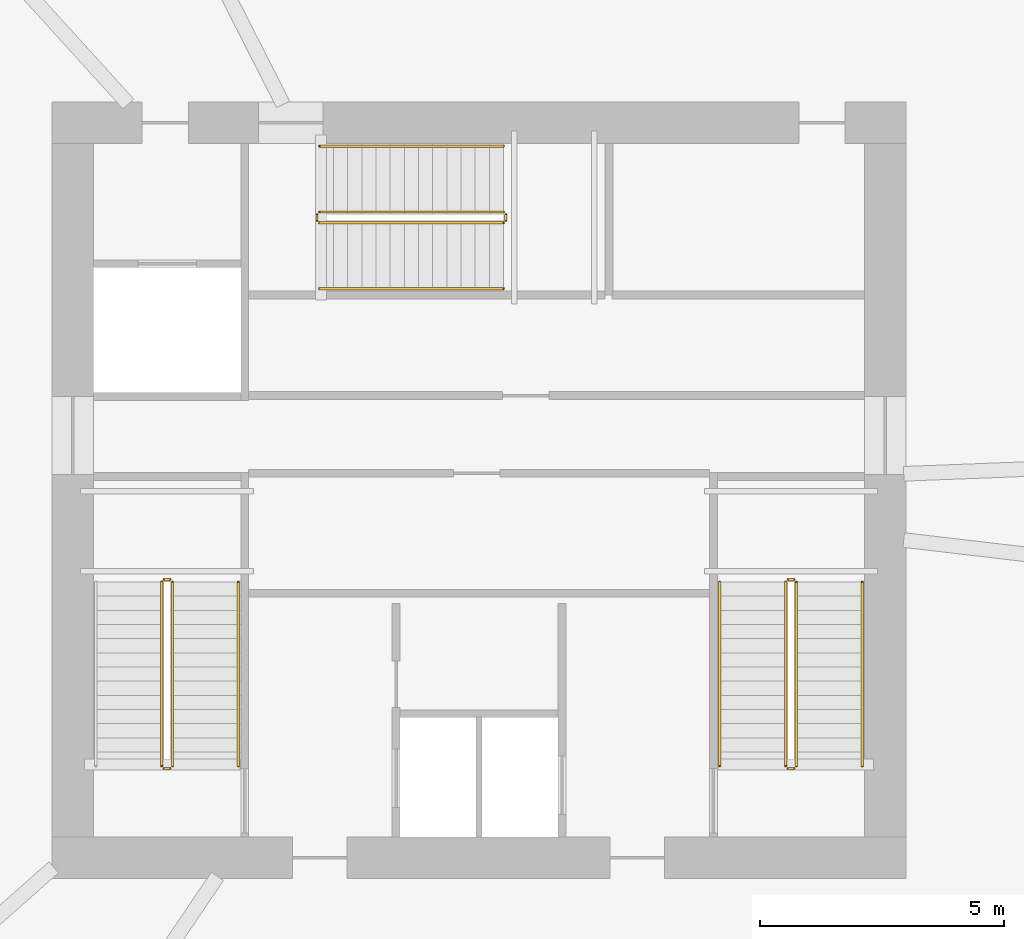
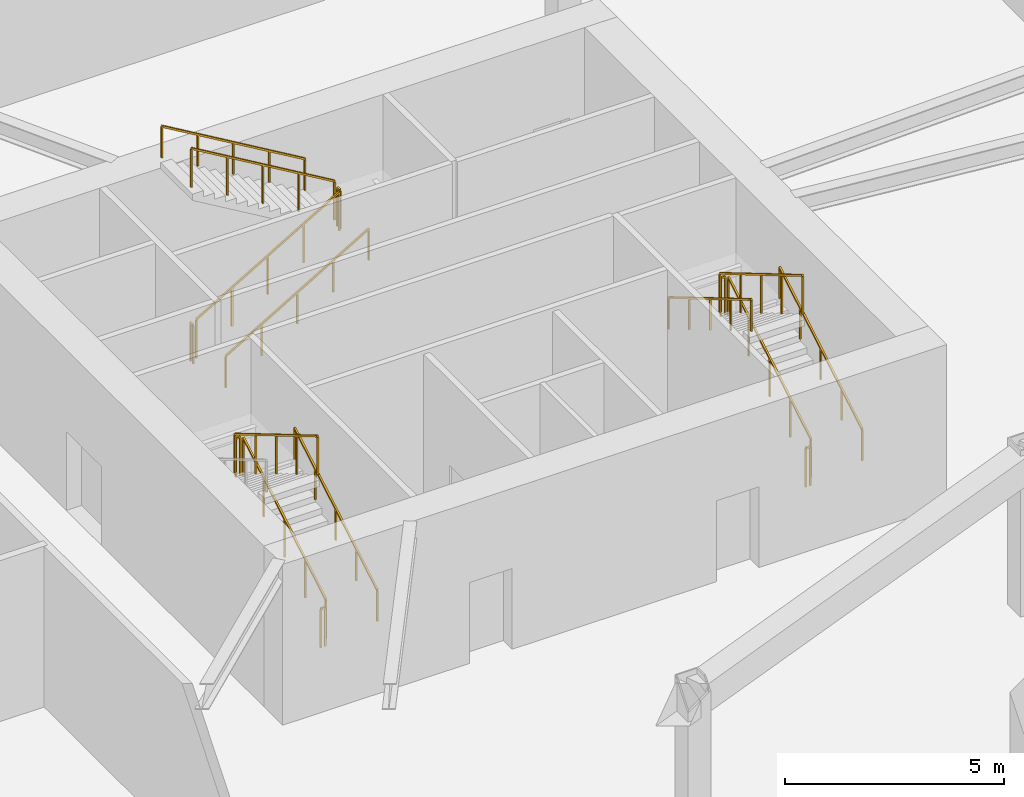
# One storey, part 8 of 9: 17 railings.
"""IFC4 building model written with IfcOpenShell, lengths in metres."""

from ifc_helpers import new_model, si_unit, direction, frame, origin, origin_2d, place, context, subcontext, project, spatial, rectangle, extrude, material, type_object, element, save


model = new_model("IFC4")

# Units and contexts
model_context = context("Model", 3, precision=1e-05, world=origin(), true_north=direction((0.0, 1.0)))
body_context = subcontext(model_context, "Body", "Model", "MODEL_VIEW")
ifc_project = project(units=[si_unit("LENGTHUNIT", "METRE"), si_unit("AREAUNIT", "SQUARE_METRE"), si_unit("VOLUMEUNIT", "CUBIC_METRE"), si_unit("PLANEANGLEUNIT", "RADIAN"), si_unit("MASSUNIT", "GRAM", prefix="KILO")], contexts=[model_context])

# Site, building, storey
site_placement = place(None, origin())
site = spatial("IfcSite", under=ifc_project, at=site_placement, CompositionType="ELEMENT")
building_placement = place(site_placement, origin())
building = spatial("IfcBuilding", under=site, at=building_placement, Name="Olszyna Solenne Hotel", CompositionType="ELEMENT")
storey_placement = place(building_placement, frame((0.0, 0.0, -4.800048828125)))
storey = spatial("IfcBuildingStorey", under=building, at=storey_placement, Name="B01", CompositionType="ELEMENT", Elevation=-4.800048828125)

# Railings
ifc_material_1 = material(Name="Anodised bronze aluminium", Category="aluminium")
railing_type_1 = type_object("IfcRailingType", Name="GR-110", PredefinedType="BALUSTRADE", material=ifc_material_1)
railing_1_placement = place(storey_placement, frame((31.719970703125, 20.949951171875, 0.17138671875)))
element("IfcRailing", 1, at=railing_1_placement, inside=storey, type_object=railing_type_1, Name="B01 ST1 stair guard 1", PredefinedType="BALUSTRADE", context=body_context, shape_type="SweptSolid", body=[
    extrude(rectangle(XDim=0.048095703125, YDim=0.048095703125, at=origin_2d()), frame((0.0, 0.0, 1.076171875), z_axis=(0.0, 0.860824410104, 0.508902087802), x_axis=(-1.0, 0.0, 0.0)), (0.0, 0.0, 1.0), 4.379638671875),
    extrude(rectangle(XDim=0.0419921875, YDim=0.0419921875, at=origin_2d()), origin(), (0.0, 0.0, 1.0), 1.052001953125),
    extrude(rectangle(XDim=0.0419921875, YDim=0.0419921875, at=origin_2d()), frame((0.0, 0.9423828125, 0.55712890625)), (0.0, 0.0, 1.0), 1.052001953125),
    extrude(rectangle(XDim=0.0419921875, YDim=0.0419921875, at=origin_2d()), frame((0.0, 1.885009765625, 1.1142578125)), (0.0, 0.0, 1.0), 1.052001953125),
    extrude(rectangle(XDim=0.0419921875, YDim=0.0419921875, at=origin_2d()), frame((0.0, 2.82763671875, 1.671630859375)), (0.0, 0.0, 1.0), 1.052001953125),
    extrude(rectangle(XDim=0.0419921875, YDim=0.0419921875, at=origin_2d()), frame((0.0, 3.77001953125, 2.228759765625)), (0.0, 0.0, 1.0), 1.052001953125),
])
railing_2_placement = place(storey_placement, frame((31.669921875, 24.77001953125, 2.400146484375)))
element("IfcRailing", 2, at=railing_2_placement, inside=storey, type_object=railing_type_1, Name="B01 ST1 stair guard 2", PredefinedType="BALUSTRADE", context=body_context, shape_type="SweptSolid", body=[
    extrude(rectangle(XDim=0.048095703125, YDim=0.048095703125, at=origin_2d()), frame((0.0, 0.0, 1.076171875), z_axis=(-1.0, 0.0, 0.0), x_axis=(0.0, -1.0, 0.0)), (0.0, 0.0, 1.0), 0.119873046875),
    extrude(rectangle(XDim=0.0419921875, YDim=0.0419921875, at=origin_2d()), origin(), (0.0, 0.0, 1.0), 1.052001953125),
    extrude(rectangle(XDim=0.0419921875, YDim=0.0419921875, at=origin_2d()), frame((-0.119873046875, 0.0, 0.0)), (0.0, 0.0, 1.0), 1.052001953125),
])
railing_3_placement = place(storey_placement, frame((31.5, 24.719970703125, 2.571533203125)))
element("IfcRailing", 3, at=railing_3_placement, inside=storey, type_object=railing_type_1, Name="B01 ST1 stair guard 3", PredefinedType="BALUSTRADE", context=body_context, shape_type="SweptSolid", body=[
    extrude(rectangle(XDim=0.048095703125, YDim=0.048095703125, at=origin_2d()), frame((0.0, 0.0, 1.076171875), z_axis=(0.0, -0.860848830602, 0.508860777473), x_axis=(1.0, 0.0, 0.0)), (0.0, 0.0, 1.0), 4.37939453125),
    extrude(rectangle(XDim=0.0419921875, YDim=0.0419921875, at=origin_2d()), origin(), (0.0, 0.0, 1.0), 1.052001953125),
    extrude(rectangle(XDim=0.0419921875, YDim=0.0419921875, at=origin_2d()), frame((0.0, -0.9423828125, 0.55712890625)), (0.0, 0.0, 1.0), 1.052001953125),
    extrude(rectangle(XDim=0.0419921875, YDim=0.0419921875, at=origin_2d()), frame((0.0, -1.885009765625, 1.1142578125)), (0.0, 0.0, 1.0), 1.052001953125),
    extrude(rectangle(XDim=0.0419921875, YDim=0.0419921875, at=origin_2d()), frame((0.0, -2.82763671875, 1.67138671875)), (0.0, 0.0, 1.0), 1.052001953125),
    extrude(rectangle(XDim=0.0419921875, YDim=0.0419921875, at=origin_2d()), frame((0.0, -3.77001953125, 2.228515625)), (0.0, 0.0, 1.0), 1.052001953125),
])
railing_4_placement = place(storey_placement, frame((31.669921875, 20.89990234375, 0.0)))
element("IfcRailing", 4, at=railing_4_placement, inside=storey, type_object=railing_type_1, Name="B01 ST1 stair guard 4", PredefinedType="BALUSTRADE", context=body_context, shape_type="SweptSolid", body=[
    extrude(rectangle(XDim=0.048095703125, YDim=0.048095703125, at=origin_2d()), frame((0.0, 0.0, 1.076171875), z_axis=(-1.0, 0.0, 0.0), x_axis=(0.0, -1.0, 0.0)), (0.0, 0.0, 1.0), 0.119873046875),
    extrude(rectangle(XDim=0.0419921875, YDim=0.0419921875, at=origin_2d()), origin(), (0.0, 0.0, 1.0), 1.052001953125),
    extrude(rectangle(XDim=0.0419921875, YDim=0.0419921875, at=origin_2d()), frame((-0.119873046875, 0.0, 0.0)), (0.0, 0.0, 1.0), 1.052001953125),
])
railing_5_placement = place(storey_placement, frame((44.5, 20.949951171875, 0.17138671875)))
element("IfcRailing", 5, at=railing_5_placement, inside=storey, type_object=railing_type_1, Name="B01 ST2 stair guard 1", PredefinedType="BALUSTRADE", context=body_context, shape_type="SweptSolid", body=[
    extrude(rectangle(XDim=0.048095703125, YDim=0.048095703125, at=origin_2d()), frame((0.0, 0.0, 1.076171875), z_axis=(0.0, 0.860824410104, 0.508902087802), x_axis=(-1.0, 0.0, 0.0)), (0.0, 0.0, 1.0), 4.379638671875),
    extrude(rectangle(XDim=0.0419921875, YDim=0.0419921875, at=origin_2d()), origin(), (0.0, 0.0, 1.0), 1.052001953125),
    extrude(rectangle(XDim=0.0419921875, YDim=0.0419921875, at=origin_2d()), frame((0.0, 0.9423828125, 0.55712890625)), (0.0, 0.0, 1.0), 1.052001953125),
    extrude(rectangle(XDim=0.0419921875, YDim=0.0419921875, at=origin_2d()), frame((0.0, 1.885009765625, 1.1142578125)), (0.0, 0.0, 1.0), 1.052001953125),
    extrude(rectangle(XDim=0.0419921875, YDim=0.0419921875, at=origin_2d()), frame((0.0, 2.82763671875, 1.671630859375)), (0.0, 0.0, 1.0), 1.052001953125),
    extrude(rectangle(XDim=0.0419921875, YDim=0.0419921875, at=origin_2d()), frame((0.0, 3.77001953125, 2.228759765625)), (0.0, 0.0, 1.0), 1.052001953125),
])
railing_6_placement = place(storey_placement, frame((44.449951171875, 24.77001953125, 2.400146484375)))
element("IfcRailing", 6, at=railing_6_placement, inside=storey, type_object=railing_type_1, Name="B01 ST2 stair guard 2", PredefinedType="BALUSTRADE", context=body_context, shape_type="SweptSolid", body=[
    extrude(rectangle(XDim=0.048095703125, YDim=0.048095703125, at=origin_2d()), frame((0.0, 0.0, 1.076171875), z_axis=(-1.0, 0.0, 0.0), x_axis=(0.0, -1.0, 0.0)), (0.0, 0.0, 1.0), 0.119873046875),
    extrude(rectangle(XDim=0.0419921875, YDim=0.0419921875, at=origin_2d()), origin(), (0.0, 0.0, 1.0), 1.052001953125),
    extrude(rectangle(XDim=0.0419921875, YDim=0.0419921875, at=origin_2d()), frame((-0.119873046875, 0.0, 0.0)), (0.0, 0.0, 1.0), 1.052001953125),
])
railing_7_placement = place(storey_placement, frame((44.280029296875, 24.719970703125, 2.571533203125)))
element("IfcRailing", 7, at=railing_7_placement, inside=storey, type_object=railing_type_1, Name="B01 ST2 stair guard 3", PredefinedType="BALUSTRADE", context=body_context, shape_type="SweptSolid", body=[
    extrude(rectangle(XDim=0.048095703125, YDim=0.048095703125, at=origin_2d()), frame((0.0, 0.0, 1.076171875), z_axis=(0.0, -0.860848830602, 0.508860777473), x_axis=(1.0, 0.0, 0.0)), (0.0, 0.0, 1.0), 4.37939453125),
    extrude(rectangle(XDim=0.0419921875, YDim=0.0419921875, at=origin_2d()), origin(), (0.0, 0.0, 1.0), 1.052001953125),
    extrude(rectangle(XDim=0.0419921875, YDim=0.0419921875, at=origin_2d()), frame((0.0, -0.9423828125, 0.55712890625)), (0.0, 0.0, 1.0), 1.052001953125),
    extrude(rectangle(XDim=0.0419921875, YDim=0.0419921875, at=origin_2d()), frame((0.0, -1.885009765625, 1.1142578125)), (0.0, 0.0, 1.0), 1.052001953125),
    extrude(rectangle(XDim=0.0419921875, YDim=0.0419921875, at=origin_2d()), frame((0.0, -2.82763671875, 1.67138671875)), (0.0, 0.0, 1.0), 1.052001953125),
    extrude(rectangle(XDim=0.0419921875, YDim=0.0419921875, at=origin_2d()), frame((0.0, -3.77001953125, 2.228515625)), (0.0, 0.0, 1.0), 1.052001953125),
])
railing_8_placement = place(storey_placement, frame((44.449951171875, 20.89990234375, 0.0)))
element("IfcRailing", 8, at=railing_8_placement, inside=storey, type_object=railing_type_1, Name="B01 ST2 stair guard 4", PredefinedType="BALUSTRADE", context=body_context, shape_type="SweptSolid", body=[
    extrude(rectangle(XDim=0.048095703125, YDim=0.048095703125, at=origin_2d()), frame((0.0, 0.0, 1.076171875), z_axis=(-1.0, 0.0, 0.0), x_axis=(0.0, -1.0, 0.0)), (0.0, 0.0, 1.0), 0.119873046875),
    extrude(rectangle(XDim=0.0419921875, YDim=0.0419921875, at=origin_2d()), origin(), (0.0, 0.0, 1.0), 1.052001953125),
    extrude(rectangle(XDim=0.0419921875, YDim=0.0419921875, at=origin_2d()), frame((-0.119873046875, 0.0, 0.0)), (0.0, 0.0, 1.0), 1.052001953125),
])
railing_9_placement = place(storey_placement, frame((34.72998046875, 32.080078125, 0.17138671875)))
element("IfcRailing", 9, at=railing_9_placement, inside=storey, type_object=railing_type_1, Name="B01 ST3 stair guard 1", PredefinedType="BALUSTRADE", context=body_context, shape_type="SweptSolid", body=[
    extrude(rectangle(XDim=0.048095703125, YDim=0.048095703125, at=origin_2d()), frame((0.0, 0.0, 1.076171875), z_axis=(0.860824410104, 0.0, 0.508902087802), x_axis=(0.0, 1.0, 0.0)), (0.0, 0.0, 1.0), 4.379638671875),
    extrude(rectangle(XDim=0.0419921875, YDim=0.0419921875, at=origin_2d()), origin(), (0.0, 0.0, 1.0), 1.052001953125),
    extrude(rectangle(XDim=0.0419921875, YDim=0.0419921875, at=origin_2d()), frame((0.9423828125, 0.0, 0.55712890625)), (0.0, 0.0, 1.0), 1.052001953125),
    extrude(rectangle(XDim=0.0419921875, YDim=0.0419921875, at=origin_2d()), frame((1.885009765625, 0.0, 1.1142578125)), (0.0, 0.0, 1.0), 1.052001953125),
    extrude(rectangle(XDim=0.0419921875, YDim=0.0419921875, at=origin_2d()), frame((2.82763671875, 0.0, 1.671630859375)), (0.0, 0.0, 1.0), 1.052001953125),
    extrude(rectangle(XDim=0.0419921875, YDim=0.0419921875, at=origin_2d()), frame((3.77001953125, 0.0, 2.228759765625)), (0.0, 0.0, 1.0), 1.052001953125),
])
railing_10_placement = place(storey_placement, frame((38.550048828125, 32.1298828125, 2.400146484375)))
element("IfcRailing", 10, at=railing_10_placement, inside=storey, type_object=railing_type_1, Name="B01 ST3 stair guard 2", PredefinedType="BALUSTRADE", context=body_context, shape_type="SweptSolid", body=[
    extrude(rectangle(XDim=0.048095703125, YDim=0.048095703125, at=origin_2d()), frame((0.0, 0.0, 1.076171875), z_axis=(0.0, 1.0, 0.0), x_axis=(-1.0, 0.0, 0.0)), (0.0, 0.0, 1.0), 0.1201171875),
    extrude(rectangle(XDim=0.0419921875, YDim=0.0419921875, at=origin_2d()), origin(), (0.0, 0.0, 1.0), 1.052001953125),
    extrude(rectangle(XDim=0.0419921875, YDim=0.0419921875, at=origin_2d()), frame((0.0, 0.1201171875, 0.0)), (0.0, 0.0, 1.0), 1.052001953125),
])
railing_11_placement = place(storey_placement, frame((38.5, 32.300048828125, 2.571533203125)))
element("IfcRailing", 11, at=railing_11_placement, inside=storey, type_object=railing_type_1, Name="B01 ST3 stair guard 3", PredefinedType="BALUSTRADE", context=body_context, shape_type="SweptSolid", body=[
    extrude(rectangle(XDim=0.048095703125, YDim=0.048095703125, at=origin_2d()), frame((0.0, 0.0, 1.076171875), z_axis=(-0.860848830602, 0.0, 0.508860777473), x_axis=(0.0, -1.0, 0.0)), (0.0, 0.0, 1.0), 4.37939453125),
    extrude(rectangle(XDim=0.0419921875, YDim=0.0419921875, at=origin_2d()), origin(), (0.0, 0.0, 1.0), 1.052001953125),
    extrude(rectangle(XDim=0.0419921875, YDim=0.0419921875, at=origin_2d()), frame((-0.9423828125, 0.0, 0.55712890625)), (0.0, 0.0, 1.0), 1.052001953125),
    extrude(rectangle(XDim=0.0419921875, YDim=0.0419921875, at=origin_2d()), frame((-1.885009765625, 0.0, 1.1142578125)), (0.0, 0.0, 1.0), 1.052001953125),
    extrude(rectangle(XDim=0.0419921875, YDim=0.0419921875, at=origin_2d()), frame((-2.82763671875, 0.0, 1.67138671875)), (0.0, 0.0, 1.0), 1.052001953125),
    extrude(rectangle(XDim=0.0419921875, YDim=0.0419921875, at=origin_2d()), frame((-3.77001953125, 0.0, 2.228515625)), (0.0, 0.0, 1.0), 1.052001953125),
])
railing_12_placement = place(storey_placement, frame((34.679931640625, 32.1298828125, 0.0)))
element("IfcRailing", 12, at=railing_12_placement, inside=storey, type_object=railing_type_1, Name="B01 ST3 stair guard 4", PredefinedType="BALUSTRADE", context=body_context, shape_type="SweptSolid", body=[
    extrude(rectangle(XDim=0.048095703125, YDim=0.048095703125, at=origin_2d()), frame((0.0, 0.0, 1.076171875), z_axis=(0.0, 1.0, 0.0), x_axis=(-1.0, 0.0, 0.0)), (0.0, 0.0, 1.0), 0.1201171875),
    extrude(rectangle(XDim=0.0419921875, YDim=0.0419921875, at=origin_2d()), origin(), (0.0, 0.0, 1.0), 1.052001953125),
    extrude(rectangle(XDim=0.0419921875, YDim=0.0419921875, at=origin_2d()), frame((0.0, 0.1201171875, 0.0)), (0.0, 0.0, 1.0), 1.052001953125),
])
ifc_material_2 = material(Name="Steel S355J2", Category="steel")
railing_type_2 = type_object("IfcRailingType", Name="HR-090", PredefinedType="HANDRAIL", material=ifc_material_2)
for number, where, name in (
    (13, (33.070068359375, 20.949951171875, 0.17138671875), "B01 ST1 stair handrail 1"),
    (14, (45.85009765625, 20.949951171875, 0.17138671875), "B01 ST2 stair handrail 1"),
):
    element("IfcRailing", number, at=place(storey_placement, frame(where)), inside=storey, type_object=railing_type_2, Name=name, PredefinedType="HANDRAIL", context=body_context, shape_type="SweptSolid", body=[
        extrude(rectangle(XDim=0.048095703125, YDim=0.048095703125, at=origin_2d()), frame((0.0, 0.0, 0.8759765625), z_axis=(0.0, 0.860824410104, 0.508902087802), x_axis=(-1.0, 0.0, 0.0)), (0.0, 0.0, 1.0), 4.379638671875),
        extrude(rectangle(XDim=0.0419921875, YDim=0.0419921875, at=origin_2d()), origin(), (0.0, 0.0, 1.0), 0.851806640625),
        extrude(rectangle(XDim=0.0419921875, YDim=0.0419921875, at=origin_2d()), frame((0.0, 0.9423828125, 0.55712890625)), (0.0, 0.0, 1.0), 0.851806640625),
        extrude(rectangle(XDim=0.0419921875, YDim=0.0419921875, at=origin_2d()), frame((0.0, 1.885009765625, 1.1142578125)), (0.0, 0.0, 1.0), 0.851806640625),
        extrude(rectangle(XDim=0.0419921875, YDim=0.0419921875, at=origin_2d()), frame((0.0, 2.82763671875, 1.671630859375)), (0.0, 0.0, 1.0), 0.851806640625),
        extrude(rectangle(XDim=0.0419921875, YDim=0.0419921875, at=origin_2d()), frame((0.0, 3.77001953125, 2.228759765625)), (0.0, 0.0, 1.0), 0.851806640625),
    ])
railing_13_placement = place(storey_placement, frame((42.929931640625, 24.719970703125, 2.571533203125)))
element("IfcRailing", 15, at=railing_13_placement, inside=storey, type_object=railing_type_2, Name="B01 ST2 stair handrail 2", PredefinedType="HANDRAIL", context=body_context, shape_type="SweptSolid", body=[
    extrude(rectangle(XDim=0.048095703125, YDim=0.048095703125, at=origin_2d()), frame((0.0, 0.0, 0.8759765625), z_axis=(0.0, -0.860848830602, 0.508860777473), x_axis=(1.0, 0.0, 0.0)), (0.0, 0.0, 1.0), 4.37939453125),
    extrude(rectangle(XDim=0.0419921875, YDim=0.0419921875, at=origin_2d()), origin(), (0.0, 0.0, 1.0), 0.851806640625),
    extrude(rectangle(XDim=0.0419921875, YDim=0.0419921875, at=origin_2d()), frame((0.0, -0.9423828125, 0.55712890625)), (0.0, 0.0, 1.0), 0.851806640625),
    extrude(rectangle(XDim=0.0419921875, YDim=0.0419921875, at=origin_2d()), frame((0.0, -1.885009765625, 1.1142578125)), (0.0, 0.0, 1.0), 0.851806640625),
    extrude(rectangle(XDim=0.0419921875, YDim=0.0419921875, at=origin_2d()), frame((0.0, -2.82763671875, 1.67138671875)), (0.0, 0.0, 1.0), 0.851806640625),
    extrude(rectangle(XDim=0.0419921875, YDim=0.0419921875, at=origin_2d()), frame((0.0, -3.77001953125, 2.228515625)), (0.0, 0.0, 1.0), 0.851806640625),
])
railing_14_placement = place(storey_placement, frame((34.72998046875, 30.72998046875, 0.17138671875)))
element("IfcRailing", 16, at=railing_14_placement, inside=storey, type_object=railing_type_2, Name="B01 ST3 stair handrail 1", PredefinedType="HANDRAIL", context=body_context, shape_type="SweptSolid", body=[
    extrude(rectangle(XDim=0.048095703125, YDim=0.048095703125, at=origin_2d()), frame((0.0, 0.0, 0.8759765625), z_axis=(0.860824410104, 0.0, 0.508902087802), x_axis=(0.0, 1.0, 0.0)), (0.0, 0.0, 1.0), 4.379638671875),
    extrude(rectangle(XDim=0.0419921875, YDim=0.0419921875, at=origin_2d()), origin(), (0.0, 0.0, 1.0), 0.851806640625),
    extrude(rectangle(XDim=0.0419921875, YDim=0.0419921875, at=origin_2d()), frame((0.9423828125, 0.0, 0.55712890625)), (0.0, 0.0, 1.0), 0.851806640625),
    extrude(rectangle(XDim=0.0419921875, YDim=0.0419921875, at=origin_2d()), frame((1.885009765625, 0.0, 1.1142578125)), (0.0, 0.0, 1.0), 0.851806640625),
    extrude(rectangle(XDim=0.0419921875, YDim=0.0419921875, at=origin_2d()), frame((2.82763671875, 0.0, 1.671630859375)), (0.0, 0.0, 1.0), 0.851806640625),
    extrude(rectangle(XDim=0.0419921875, YDim=0.0419921875, at=origin_2d()), frame((3.77001953125, 0.0, 2.228759765625)), (0.0, 0.0, 1.0), 0.851806640625),
])
railing_15_placement = place(storey_placement, frame((38.5, 33.64990234375, 2.571533203125)))
element("IfcRailing", 17, at=railing_15_placement, inside=storey, type_object=railing_type_2, Name="B01 ST3 stair handrail 2", PredefinedType="HANDRAIL", context=body_context, shape_type="SweptSolid", body=[
    extrude(rectangle(XDim=0.048095703125, YDim=0.048095703125, at=origin_2d()), frame((0.0, 0.0, 0.8759765625), z_axis=(-0.860848830602, 0.0, 0.508860777473), x_axis=(0.0, -1.0, 0.0)), (0.0, 0.0, 1.0), 4.37939453125),
    extrude(rectangle(XDim=0.0419921875, YDim=0.0419921875, at=origin_2d()), origin(), (0.0, 0.0, 1.0), 0.851806640625),
    extrude(rectangle(XDim=0.0419921875, YDim=0.0419921875, at=origin_2d()), frame((-0.9423828125, 0.0, 0.55712890625)), (0.0, 0.0, 1.0), 0.851806640625),
    extrude(rectangle(XDim=0.0419921875, YDim=0.0419921875, at=origin_2d()), frame((-1.885009765625, 0.0, 1.1142578125)), (0.0, 0.0, 1.0), 0.851806640625),
    extrude(rectangle(XDim=0.0419921875, YDim=0.0419921875, at=origin_2d()), frame((-2.82763671875, 0.0, 1.67138671875)), (0.0, 0.0, 1.0), 0.851806640625),
    extrude(rectangle(XDim=0.0419921875, YDim=0.0419921875, at=origin_2d()), frame((-3.77001953125, 0.0, 2.228515625)), (0.0, 0.0, 1.0), 0.851806640625),
])

save(model, "model.ifc")
